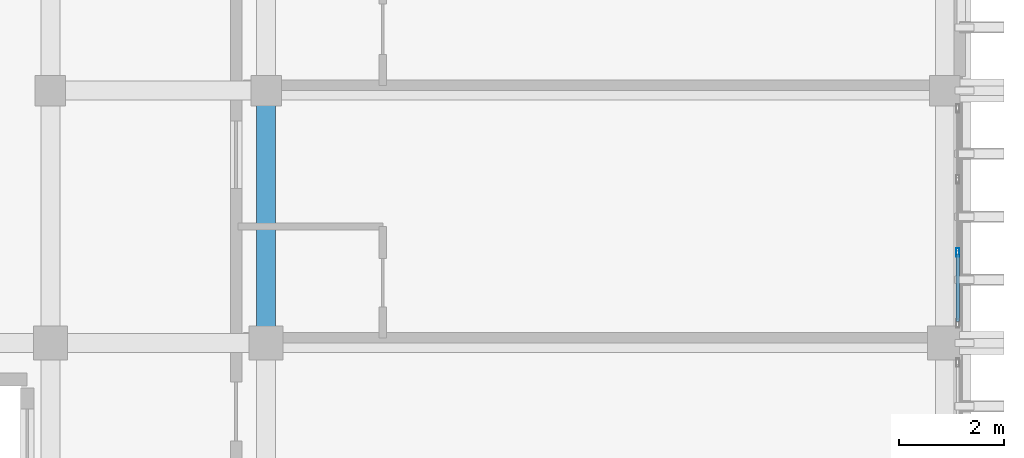
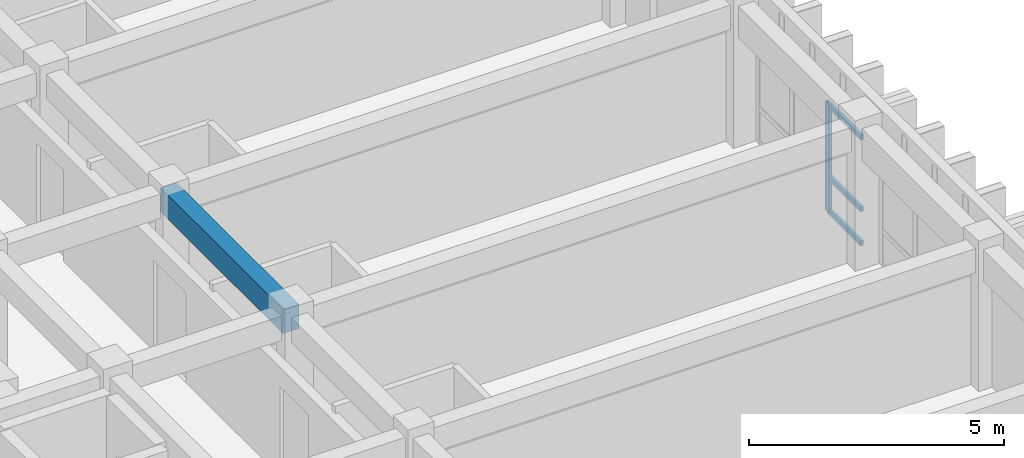
# One storey, part 14 of 49: 4 members, 1 beam, 1 element without a shape of its own.
"""IFC4 building model written with IfcOpenShell, lengths in metres."""

from ifc_helpers import new_model, si_unit, direction, frame, origin, origin_2d, place, context, subcontext, project, spatial, rectangle, hollow_rectangle, extrude, material, layer, layer_set, material_profile, profile_set, type_object, element, aggregate, save


model = new_model("IFC4")

# Units and contexts
model_context = context("Model", 3, precision=1e-05, world=origin(), true_north=direction((0.0, 1.0)))
body_context = subcontext(model_context, "Body", "Model", "MODEL_VIEW")
ifc_project = project(units=[si_unit("LENGTHUNIT", "METRE"), si_unit("AREAUNIT", "SQUARE_METRE"), si_unit("VOLUMEUNIT", "CUBIC_METRE"), si_unit("PLANEANGLEUNIT", "RADIAN"), si_unit("MASSUNIT", "GRAM", prefix="KILO")], contexts=[model_context])

# Site, building, storey
site_placement = place(None, origin())
site = spatial("IfcSite", under=ifc_project, at=site_placement, CompositionType="ELEMENT")
building_placement = place(site_placement, origin())
building = spatial("IfcBuilding", under=site, at=building_placement, Name="Nakhvara Creek Congress Hotel", CompositionType="ELEMENT")
storey_placement = place(building_placement, frame((0.0, 0.0, 39.0)))
storey = spatial("IfcBuildingStorey", under=building, at=storey_placement, Name="L09", CompositionType="ELEMENT", Elevation=39.0)

# Beam
ifc_material_1 = material(Name="Concrete C40/50", Category="concrete")
ifc_material_profile_1 = material_profile(ifc_material_1, rectangle(XDim=0.360107421875, YDim=0.580078125, at=origin_2d()), Name="RC-BM 360x580", Category="LoadBearing")
ifc_profile_set_1 = profile_set([ifc_material_profile_1], Name="Concrete C40/50")
beam_type = type_object("IfcBeamType", Name="BM-RC-360X580", PredefinedType="BEAM", material=ifc_profile_set_1)
beam_placement = place(storey_placement, frame((166.449951171875, 76.800048828125, 3.070068359375), z_axis=(0.0, 1.0, 0.0), x_axis=(-1.0, 0.0, 0.0)))
element("IfcBeam", 1, at=beam_placement, inside=storey, type_object=beam_type, Name="Beam B09-L09-2582", PredefinedType="BEAM", context=body_context, shape_type="SweptSolid", body=[
    extrude(rectangle(XDim=0.360107421875, YDim=0.580078125, at=origin_2d()), origin(), (0.0, 0.0, 1.0), 4.800048828125),
])

# Curtain wall, members
ifc_material_2 = material(Name="Bronze-anodised aluminium AW-6063-T6 and double-silver low-E glass", Category="aluminium")
ifc_layer = layer(ifc_material_2, 0.199951171875)
ifc_layer_set = layer_set([ifc_layer], Name="Bronze-anodised aluminium AW-6063-T6 and double-silver low-E glass")
curtain_wall_type = type_object("IfcCurtainWallType", Name="CW-HTL-UNIT", PredefinedType="USERDEFINED", material=ifc_layer_set)
curtain_wall_placement = place(storey_placement, origin())
curtain_wall = element("IfcCurtainWall", 2, at=curtain_wall_placement, inside=storey, type_object=curtain_wall_type, Name="Curtain Wall CW301", ObjectType="UNITISED", PredefinedType="USERDEFINED")
ifc_material_3 = material(Name="Bronze-anodised aluminium AW-6063-T6", Category="aluminium")
ifc_material_profile_2 = material_profile(ifc_material_3, hollow_rectangle(XDim=0.06494140625, YDim=0.159912109375, WallThickness=0.00390625, at=origin_2d()), Name="ALU-MULL 65x160x4", Category="LoadBearing")
ifc_profile_set_2 = profile_set([ifc_material_profile_2], Name="Bronze-anodised aluminium AW-6063-T6")
member_type_1 = type_object("IfcMemberType", Name="CW-MULL-160", PredefinedType="MULLION", material=ifc_profile_set_2)
member_1_placement = place(storey_placement, frame((179.60009765625, 78.52490234375, 0.0), z_axis=(0.0, 0.0, 1.0), x_axis=(1.0, 0.0, 0.0)))
member_1 = element("IfcMember", 3, at=member_1_placement, type_object=member_type_1, Name="CW301 mullion 3", PredefinedType="MULLION", context=body_context, shape_type="SweptSolid", body=[
    extrude(hollow_rectangle(XDim=0.06494140625, YDim=0.159912109375, WallThickness=0.00390625, at=origin_2d()), origin(), (0.0, 0.0, 1.0), 2.60205078125),
])
ifc_material_profile_3 = material_profile(ifc_material_3, hollow_rectangle(XDim=0.06494140625, YDim=0.1201171875, WallThickness=0.00390625, at=origin_2d()), Name="ALU-TRAN 65x120x4", Category="LoadBearing")
ifc_profile_set_3 = profile_set([ifc_material_profile_3], Name="Bronze-anodised aluminium AW-6063-T6")
member_type_2 = type_object("IfcMemberType", Name="CW-TRAN-120", PredefinedType="USERDEFINED", material=ifc_profile_set_3)
member_2_placement = place(storey_placement, frame((179.60009765625, 78.492431640625, 0.032470703125), z_axis=(0.0, -1.0, 0.0), x_axis=(1.0, 0.0, 0.0)))
member_2 = element("IfcMember", 4, at=member_2_placement, type_object=member_type_2, Name="CW301 transom 3.1", ObjectType="TRANSOM", PredefinedType="USERDEFINED", context=body_context, shape_type="SweptSolid", body=[
    extrude(hollow_rectangle(XDim=0.06494140625, YDim=0.1201171875, WallThickness=0.00390625, at=origin_2d()), origin(), (0.0, 0.0, 1.0), 1.287353515625),
])
member_3_placement = place(storey_placement, frame((179.60009765625, 78.492431640625, 0.85009765625), z_axis=(0.0, -1.0, 0.0), x_axis=(1.0, 0.0, 0.0)))
member_3 = element("IfcMember", 5, at=member_3_placement, type_object=member_type_2, Name="CW301 transom 3.2", ObjectType="TRANSOM", PredefinedType="USERDEFINED", context=body_context, shape_type="SweptSolid", body=[
    extrude(hollow_rectangle(XDim=0.06494140625, YDim=0.1201171875, WallThickness=0.00390625, at=origin_2d()), origin(), (0.0, 0.0, 1.0), 1.287353515625),
])
member_4_placement = place(storey_placement, frame((179.60009765625, 78.492431640625, 2.569580078125), z_axis=(0.0, -1.0, 0.0), x_axis=(1.0, 0.0, 0.0)))
member_4 = element("IfcMember", 6, at=member_4_placement, type_object=member_type_2, Name="CW301 transom 3.3", ObjectType="TRANSOM", PredefinedType="USERDEFINED", context=body_context, shape_type="SweptSolid", body=[
    extrude(hollow_rectangle(XDim=0.06494140625, YDim=0.1201171875, WallThickness=0.00390625, at=origin_2d()), origin(), (0.0, 0.0, 1.0), 1.287353515625),
])
aggregate(curtain_wall, [member_1, member_2, member_3, member_4])

save(model, "model.ifc")
